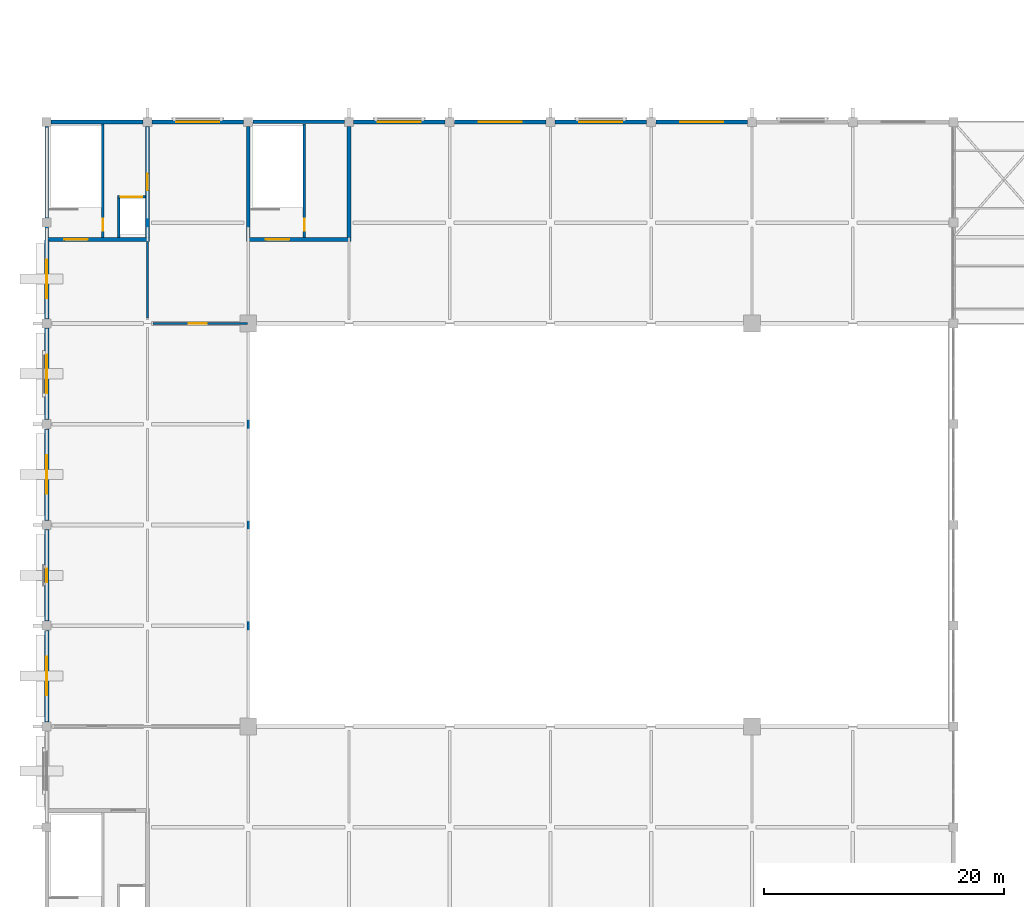
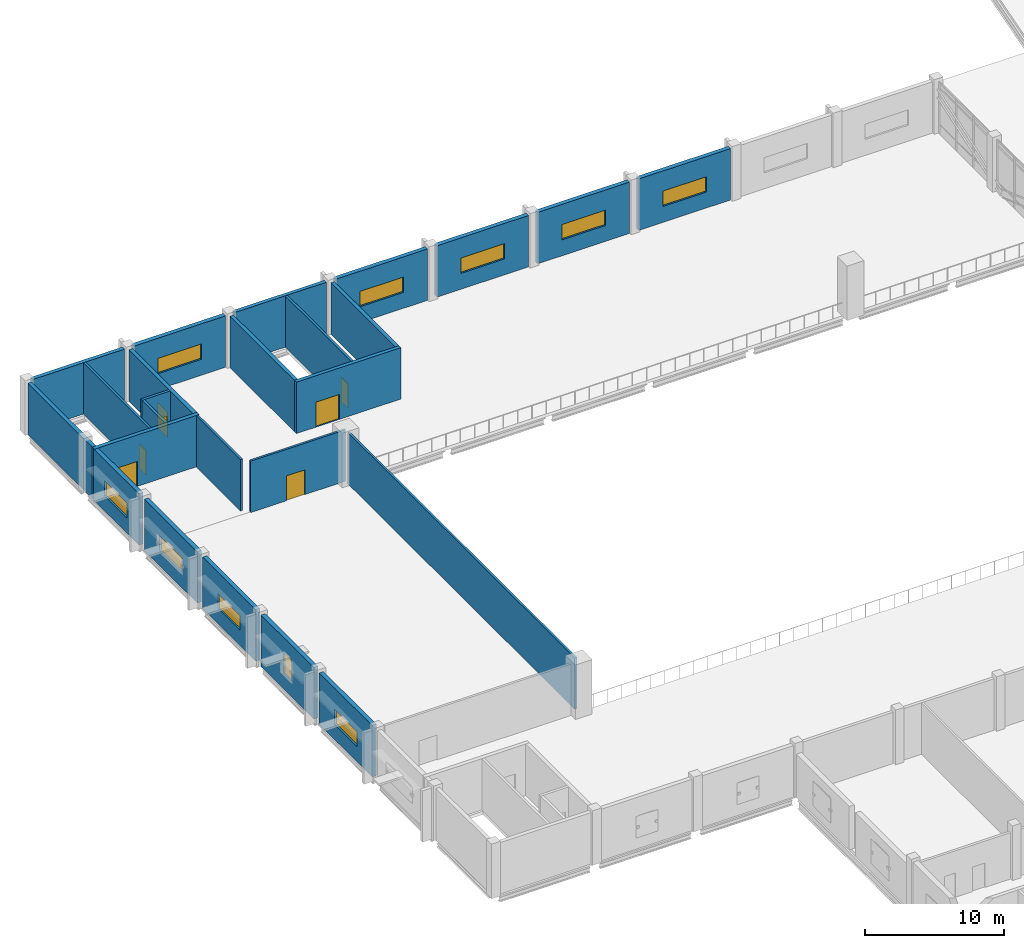
# One storey, part 88 of 110: 25 walls, 10 windows, 7 doors, 17 openings.
"""IFC4 building model written with IfcOpenShell, lengths in metres."""

from ifc_helpers import new_model, si_unit, direction, frame, frame_2d, origin, place, context, subcontext, project, spatial, rectangle, extrude, material, layer, layer_set, type_object, element, fill, save


model = new_model("IFC4")

# Units and contexts
model_context = context("Model", 3, precision=1e-05, world=origin(), true_north=direction((0.0, 1.0)))
body_context = subcontext(model_context, "Body", "Model", "MODEL_VIEW")
ifc_project = project(units=[si_unit("LENGTHUNIT", "METRE"), si_unit("AREAUNIT", "SQUARE_METRE"), si_unit("VOLUMEUNIT", "CUBIC_METRE"), si_unit("PLANEANGLEUNIT", "RADIAN"), si_unit("MASSUNIT", "GRAM", prefix="KILO")], contexts=[model_context])

# Site, building, storey
site_placement = place(None, origin())
site = spatial("IfcSite", under=ifc_project, at=site_placement, CompositionType="ELEMENT")
building_placement = place(site_placement, origin())
building = spatial("IfcBuilding", under=site, at=building_placement, Name="Qawsi Khor Wholesale Market", CompositionType="ELEMENT")
storey_placement = place(building_placement, frame((0.0, 0.0, 11.39990234375)))
storey = spatial("IfcBuildingStorey", under=building, at=storey_placement, Name="L02", CompositionType="ELEMENT", Elevation=11.39990234375)

# Wall, opening, door
ifc_material_1 = material(Name="Concrete C40/50", Category="concrete")
ifc_layer_1 = layer(ifc_material_1, 0.300048828125, Name="Concrete C40/50")
ifc_layer_set_1 = layer_set([ifc_layer_1], Name="Concrete C40/50")
wall_type_1 = type_object("IfcWallType", Name="Core Shear Wall RC 300 C40/50", PredefinedType="SHEAR", material=ifc_layer_set_1)
wall_1_placement = place(storey_placement, frame((25.35009765625, 99.39990234375, 0.0), z_axis=(0.0, 0.0, 1.0), x_axis=(-1.0, 0.0, 0.0)))
wall_1 = element("IfcWall", 1, at=wall_1_placement, inside=storey, type_object=wall_type_1, Name="Core C09 south shear wall L02", PredefinedType="SHEAR", context=body_context, shape_type="SweptSolid", body=[
    extrude(rectangle(XDim=8.7001953125, YDim=0.300048828125, at=frame_2d((4.35009765625, 0.0))), origin(), (0.0, 0.0, 1.0), 4.52001953125),
])
opening_1_placement = place(wall_1_placement, frame((5.1201171875, 0.0, 0.0)))
opening_1 = element("IfcOpeningElement", 2, at=opening_1_placement, cuts=wall_1, Name="Opening ID-01", PredefinedType="OPENING", context=body_context, shape_type="SweptSolid", body=[
    extrude(rectangle(XDim=1.9599609375, YDim=2.199951171875, at=frame_2d((0.97998046875, 1.10009765625))), frame((0.0, 0.159912109375, 0.0), z_axis=(0.0, -1.0, 0.0), x_axis=(1.0, 0.0, 0.0)), (0.0, 0.0, 1.0), 0.320068359375),
])
ifc_material_2 = material(Name="Steel Fire Door", Category="steel")
door_type_1 = type_object("IfcDoorType", Name="Stair & Core Fire Door 1960x2200 FD90S", OperationType="NOTDEFINED", PredefinedType="DOOR", material=ifc_material_2)
door_1_placement = place(opening_1_placement, origin())
door_1 = element("IfcDoor", 3, at=door_1_placement, inside=storey, type_object=door_type_1, Name="Core C09 fire door L02", OperationType="DOUBLE_DOOR_SINGLE_SWING", OverallHeight=2.199951171875, OverallWidth=1.9599609375, PredefinedType="DOOR", context=body_context, shape_type="SweptSolid", body=[
    extrude(rectangle(XDim=1.9599609375, YDim=2.199951171875, at=frame_2d((0.97998046875, 1.10009765625))), frame((0.0, 0.02490234375, 0.0), z_axis=(0.0, -1.0, 0.0), x_axis=(1.0, 0.0, 0.0)), (0.0, 0.0, 1.0), 0.050048828125),
])
fill(opening_1, door_1)

# Walls
wall_2_placement = place(storey_placement, frame((16.800048828125, 99.550048828125, 0.0), z_axis=(0.0, 0.0, 1.0), x_axis=(0.0, 1.0, 0.0)))
element("IfcWall", 4, at=wall_2_placement, inside=storey, type_object=wall_type_1, Name="Core C09 west shear wall L02", PredefinedType="SHEAR", context=body_context, shape_type="SweptSolid", body=[
    extrude(rectangle(XDim=9.27001953125, YDim=0.300048828125, at=frame_2d((4.635009765625, 0.0))), origin(), (0.0, 0.0, 1.0), 4.52001953125),
])
wall_3_placement = place(storey_placement, frame((17.179931640625, 109.199951171875, 0.0), z_axis=(0.0, 0.0, 1.0), x_axis=(1.0, 0.0, 0.0)))
element("IfcWall", 5, at=wall_3_placement, inside=storey, type_object=wall_type_1, Name="Core C09 north shear wall L02", PredefinedType="SHEAR", context=body_context, shape_type="SweptSolid", body=[
    extrude(rectangle(XDim=7.64013671875, YDim=0.300048828125, at=frame_2d((3.820068359375, 0.0))), origin(), (0.0, 0.0, 1.0), 4.52001953125),
])
wall_4_placement = place(storey_placement, frame((25.199951171875, 108.820068359375, 0.0), z_axis=(0.0, 0.0, 1.0), x_axis=(0.0, -1.0, 0.0)))
element("IfcWall", 6, at=wall_4_placement, inside=storey, type_object=wall_type_1, Name="Core C09 east shear wall L02", PredefinedType="SHEAR", context=body_context, shape_type="SweptSolid", body=[
    extrude(rectangle(XDim=9.27001953125, YDim=0.300048828125, at=frame_2d((4.635009765625, 0.0))), origin(), (0.0, 0.0, 1.0), 4.52001953125),
])

# Wall, opening, door
ifc_layer_2 = layer(ifc_material_1, 0.320068359375, Name="Concrete C40/50")
ifc_layer_set_2 = layer_set([ifc_layer_2], Name="Concrete C40/50")
wall_type_2 = type_object("IfcWallType", Name="Hall Lateral Shear Wall RC 320 C40/50", PredefinedType="SHEAR", material=ifc_layer_set_2)
wall_5_placement = place(storey_placement, frame((8.56005859375, 99.39990234375, 0.0), z_axis=(0.0, 0.0, 1.0), x_axis=(-1.0, 0.0, 0.0)))
wall_5 = element("IfcWall", 7, at=wall_5_placement, inside=storey, type_object=wall_type_2, Name="Core C08 south shear wall L02", PredefinedType="SHEAR", context=body_context, shape_type="SweptSolid", body=[
    extrude(rectangle(XDim=8.719970703125, YDim=0.320068359375, at=frame_2d((4.35986328125, 0.0))), origin(), (0.0, 0.0, 1.0), 4.52001953125),
])
opening_2_placement = place(wall_5_placement, frame((5.1298828125, 0.0, 0.0)))
opening_2 = element("IfcOpeningElement", 8, at=opening_2_placement, cuts=wall_5, Name="Opening ID-01", PredefinedType="OPENING", context=body_context, shape_type="SweptSolid", body=[
    extrude(rectangle(XDim=1.9599609375, YDim=2.199951171875, at=frame_2d((0.97998046875, 1.10009765625))), frame((0.0, 0.169921875, 0.0), z_axis=(0.0, -1.0, 0.0), x_axis=(1.0, 0.0, 0.0)), (0.0, 0.0, 1.0), 0.340087890625),
])
door_2_placement = place(opening_2_placement, origin())
door_2 = element("IfcDoor", 9, at=door_2_placement, inside=storey, type_object=door_type_1, Name="Core C08 fire door L02", OperationType="DOUBLE_DOOR_SINGLE_SWING", OverallHeight=2.199951171875, OverallWidth=1.9599609375, PredefinedType="DOOR", context=body_context, shape_type="SweptSolid", body=[
    extrude(rectangle(XDim=1.9599609375, YDim=2.199951171875, at=frame_2d((0.97998046875, 1.10009765625))), frame((0.0, 0.02490234375, 0.0), z_axis=(0.0, -1.0, 0.0), x_axis=(1.0, 0.0, 0.0)), (0.0, 0.0, 1.0), 0.050048828125),
])
fill(opening_2, door_2)

# Walls
wall_6_placement = place(storey_placement, frame((0.0, 99.56005859375, 0.0), z_axis=(0.0, 0.0, 1.0), x_axis=(0.0, 1.0, 0.0)))
element("IfcWall", 10, at=wall_6_placement, inside=storey, type_object=wall_type_2, Name="Core C08 west shear wall L02", PredefinedType="SHEAR", context=body_context, shape_type="SweptSolid", body=[
    extrude(rectangle(XDim=9.260009765625, YDim=0.320068359375, at=frame_2d((4.6298828125, 0.0))), origin(), (0.0, 0.0, 1.0), 4.52001953125),
])
wall_7_placement = place(storey_placement, frame((0.3798828125, 109.199951171875, 0.0), z_axis=(0.0, 0.0, 1.0), x_axis=(1.0, 0.0, 0.0)))
element("IfcWall", 11, at=wall_7_placement, inside=storey, type_object=wall_type_2, Name="Core C08 north shear wall L02", PredefinedType="SHEAR", context=body_context, shape_type="SweptSolid", body=[
    extrude(rectangle(XDim=7.64013671875, YDim=0.320068359375, at=frame_2d((3.820068359375, 0.0))), origin(), (0.0, 0.0, 1.0), 4.52001953125),
])

# Wall, opening, door
wall_8_placement = place(storey_placement, frame((8.39990234375, 108.820068359375, 0.0), z_axis=(0.0, 0.0, 1.0), x_axis=(0.0, -1.0, 0.0)))
wall_8 = element("IfcWall", 12, at=wall_8_placement, inside=storey, type_object=wall_type_2, Name="Core C08 east shear wall L02", PredefinedType="SHEAR", context=body_context, shape_type="SweptSolid", body=[
    extrude(rectangle(XDim=9.260009765625, YDim=0.320068359375, at=frame_2d((4.6298828125, 0.0))), origin(), (0.0, 0.0, 1.0), 4.52001953125),
])
opening_3_placement = place(wall_8_placement, frame((3.929931640625, 0.0, 0.0)))
opening_3 = element("IfcOpeningElement", 13, at=opening_3_placement, cuts=wall_8, Name="Opening ID-02", PredefinedType="OPENING", context=body_context, shape_type="SweptSolid", body=[
    extrude(rectangle(XDim=1.39990234375, YDim=2.199951171875, at=frame_2d((0.699951171875, 1.10009765625))), frame((0.0, 0.169921875, 0.0), z_axis=(0.0, -1.0, 0.0), x_axis=(1.0, 0.0, 0.0)), (0.0, 0.0, 1.0), 0.340087890625),
])
door_type_2 = type_object("IfcDoorType", Name="Firefighting Lobby Door 1400x2200 FD60S", OperationType="NOTDEFINED", PredefinedType="DOOR", material=ifc_material_2)
door_3_placement = place(opening_3_placement, origin())
door_3 = element("IfcDoor", 14, at=door_3_placement, inside=storey, type_object=door_type_2, Name="Core C08 lift lobby door L02", OperationType="SINGLE_SWING_LEFT", OverallHeight=2.199951171875, OverallWidth=1.39990234375, PredefinedType="DOOR", context=body_context, shape_type="SweptSolid", body=[
    extrude(rectangle(XDim=1.39990234375, YDim=2.199951171875, at=frame_2d((0.699951171875, 1.10009765625))), frame((0.0, 0.02490234375, 0.0), z_axis=(0.0, -1.0, 0.0), x_axis=(1.0, 0.0, 0.0)), (0.0, 0.0, 1.0), 0.050048828125),
])
fill(opening_3, door_3)

ifc_material_3 = material(Name="Acoustic Gypsum & Mineral Wool", Category="gypsum")
ifc_layer_3 = layer(ifc_material_3, 0.179931640625, Name="Acoustic Gypsum & Mineral Wool")
ifc_layer_set_3 = layer_set([ifc_layer_3], Name="Acoustic Gypsum & Mineral Wool")
wall_type_3 = type_object("IfcWallType", Name="Laboratory Acoustic Partition 180", PredefinedType="PARTITIONING", material=ifc_layer_set_3)
wall_9_placement = place(storey_placement, frame((8.85009765625, 92.39990234375, 0.0), z_axis=(0.0, 0.0, 1.0), x_axis=(1.0, 0.0, 0.0)))
wall_9 = element("IfcWall", 15, at=wall_9_placement, inside=storey, type_object=wall_type_3, Name="PW-L02-128", PredefinedType="PARTITIONING", context=body_context, shape_type="SweptSolid", body=[
    extrude(rectangle(XDim=7.89990234375, YDim=0.179931640625, at=frame_2d((3.949951171875, 0.0))), origin(), (0.0, 0.0, 1.0), 4.52001953125),
])
opening_4_placement = place(wall_9_placement, frame((2.989990234375, 0.0, 0.0)))
opening_4 = element("IfcOpeningElement", 16, at=opening_4_placement, cuts=wall_9, Name="Opening ID-08", PredefinedType="OPENING", context=body_context, shape_type="SweptSolid", body=[
    extrude(rectangle(XDim=1.52001953125, YDim=2.179931640625, at=frame_2d((0.760009765625, 1.08984375))), frame((0.0, 0.099853515625, 0.0), z_axis=(0.0, -1.0, 0.0), x_axis=(1.0, 0.0, 0.0)), (0.0, 0.0, 1.0), 0.199951171875),
])
ifc_material_4 = material(Name="Powder-Coated Steel", Category="steel")
door_type_3 = type_object("IfcDoorType", Name="Laboratory Double Leaf Door 1520x2180 FD60S", OperationType="NOTDEFINED", PredefinedType="DOOR", material=ifc_material_4)
door_4_placement = place(opening_4_placement, origin())
door_4 = element("IfcDoor", 17, at=door_4_placement, inside=storey, type_object=door_type_3, Name="Laboratory Double Leaf Door 1520x2180 FD60S L02-135", OperationType="DOUBLE_DOOR_SINGLE_SWING", OverallHeight=2.179931640625, OverallWidth=1.52001953125, PredefinedType="DOOR", context=body_context, shape_type="SweptSolid", body=[
    extrude(rectangle(XDim=1.52001953125, YDim=2.179931640625, at=frame_2d((0.760009765625, 1.08984375))), frame((0.0, 0.02490234375, 0.0), z_axis=(0.0, -1.0, 0.0), x_axis=(1.0, 0.0, 0.0)), (0.0, 0.0, 1.0), 0.050048828125),
])
fill(opening_4, door_4)

# Walls
wall_10_placement = place(storey_placement, frame((8.39990234375, 92.85009765625, 0.0), z_axis=(0.0, 0.0, 1.0), x_axis=(0.0, 1.0, 0.0)))
element("IfcWall", 18, at=wall_10_placement, inside=storey, type_object=wall_type_3, Name="PW-L02-129", PredefinedType="PARTITIONING", context=body_context, shape_type="SweptSolid", body=[
    extrude(rectangle(XDim=6.369873046875, YDim=0.179931640625, at=frame_2d((3.18505859375, 0.0))), origin(), (0.0, 0.0, 1.0), 4.52001953125),
])
wall_11_placement = place(storey_placement, frame((16.800048828125, 59.25, 0.0), z_axis=(0.0, 0.0, 1.0), x_axis=(0.0, 1.0, 0.0)))
element("IfcWall", 19, at=wall_11_placement, inside=storey, type_object=wall_type_3, Name="PW-L02-130", PredefinedType="PARTITIONING", context=body_context, shape_type="SweptSolid", body=[
    extrude(rectangle(XDim=32.699951171875, YDim=0.179931640625, at=frame_2d((16.35009765625, 0.0))), origin(), (0.0, 0.0, 1.0), 4.52001953125),
])
ifc_layer_4 = layer(ifc_material_1, 0.219970703125, Name="Concrete C40/50")
ifc_layer_set_4 = layer_set([ifc_layer_4], Name="Concrete C40/50")
wall_type_4 = type_object("IfcWallType", Name="Lift & Stair Shaft Wall RC 220", PredefinedType="SOLIDWALL", material=ifc_layer_set_4)
wall_12_placement = place(storey_placement, frame((6.010009765625, 99.56005859375, 0.0), z_axis=(0.0, 0.0, 1.0), x_axis=(0.0, 1.0, 0.0)))
element("IfcWall", 20, at=wall_12_placement, inside=storey, type_object=wall_type_4, Name="Lift GL-02 shaft wall W L02", PredefinedType="SOLIDWALL", context=body_context, shape_type="SweptSolid", body=[
    extrude(rectangle(XDim=3.389892578125, YDim=0.219970703125, at=frame_2d((1.69482421875, 0.0))), origin(), (0.0, 0.0, 1.0), 4.52001953125),
])

# Wall, opening, door
wall_13_placement = place(storey_placement, frame((5.89990234375, 102.949951171875, 0.0), z_axis=(0.0, 0.0, 1.0), x_axis=(1.0, 0.0, 0.0)))
wall_13 = element("IfcWall", 21, at=wall_13_placement, inside=storey, type_object=wall_type_4, Name="Lift GL-02 shaft wall N L02", PredefinedType="SOLIDWALL", context=body_context, shape_type="SweptSolid", body=[
    extrude(rectangle(XDim=2.340087890625, YDim=0.219970703125, at=frame_2d((1.169921875, 0.0))), origin(), (0.0, 0.0, 1.0), 4.52001953125),
])
opening_5_placement = place(wall_13_placement, frame((0.260009765625, 0.0, 0.0)))
opening_5 = element("IfcOpeningElement", 22, at=opening_5_placement, cuts=wall_13, Name="Opening LD-G180", PredefinedType="OPENING", context=body_context, shape_type="SweptSolid", body=[
    extrude(rectangle(XDim=1.820068359375, YDim=2.39990234375, at=frame_2d((0.91015625, 1.199951171875))), frame((0.0, 0.119873046875, 0.0), z_axis=(0.0, -1.0, 0.0), x_axis=(1.0, 0.0, 0.0)), (0.0, 0.0, 1.0), 0.239990234375),
])
ifc_material_5 = material(Name="Heavy-Duty Stainless Steel", Category="steel")
door_type_4 = type_object("IfcDoorType", Name="Goods Lift Landing Sliding Door 1820x2400 FD90S", OperationType="NOTDEFINED", PredefinedType="DOOR", material=ifc_material_5)
door_5_placement = place(opening_5_placement, origin())
door_5 = element("IfcDoor", 23, at=door_5_placement, inside=storey, type_object=door_type_4, Name="Lift GL-02 landing door L02", OperationType="SLIDING_TO_LEFT", OverallHeight=2.39990234375, OverallWidth=1.820068359375, PredefinedType="DOOR", context=body_context, shape_type="SweptSolid", body=[
    extrude(rectangle(XDim=1.820068359375, YDim=2.39990234375, at=frame_2d((0.91015625, 1.199951171875))), frame((0.0, 0.02490234375, 0.0), z_axis=(0.0, -1.0, 0.0), x_axis=(1.0, 0.0, 0.0)), (0.0, 0.0, 1.0), 0.050048828125),
])
fill(opening_5, door_5)

ifc_layer_5 = layer(ifc_material_1, 0.18994140625, Name="Concrete C40/50")
ifc_layer_set_5 = layer_set([ifc_layer_5], Name="Concrete C40/50")
wall_type_5 = type_object("IfcWallType", Name="Stairwell Enclosure Wall RC 190", PredefinedType="SOLIDWALL", material=ifc_layer_set_5)
wall_14_placement = place(storey_placement, frame((4.679931640625, 99.56005859375, 0.0), z_axis=(0.0, 0.0, 1.0), x_axis=(0.0, 1.0, 0.0)))
wall_14 = element("IfcWall", 24, at=wall_14_placement, inside=storey, type_object=wall_type_5, Name="Core C08 stairwell enclosure wall L02", PredefinedType="SOLIDWALL", context=body_context, shape_type="SweptSolid", body=[
    extrude(rectangle(XDim=9.47998046875, YDim=0.18994140625, at=frame_2d((4.739990234375, 0.0))), origin(), (0.0, 0.0, 1.0), 4.52001953125),
])
opening_6_placement = place(wall_14_placement, frame((0.580078125, 0.0, 0.0)))
opening_6 = element("IfcOpeningElement", 25, at=opening_6_placement, cuts=wall_14, Name="Opening ID-17", PredefinedType="OPENING", context=body_context, shape_type="SweptSolid", body=[
    extrude(rectangle(XDim=0.97998046875, YDim=2.14990234375, at=frame_2d((0.489990234375, 1.074951171875))), frame((0.0, 0.10498046875, 0.0), z_axis=(0.0, -1.0, 0.0), x_axis=(1.0, 0.0, 0.0)), (0.0, 0.0, 1.0), 0.2099609375),
])
door_type_5 = type_object("IfcDoorType", Name="Core Stair Lobby Fire Door 980x2150 FD120S", OperationType="NOTDEFINED", PredefinedType="DOOR", material=ifc_material_2)
door_6_placement = place(opening_6_placement, origin())
door_6 = element("IfcDoor", 26, at=door_6_placement, inside=storey, type_object=door_type_5, Name="Core C08 stair enclosure fire door L02", OperationType="SINGLE_SWING_LEFT", OverallHeight=2.14990234375, OverallWidth=0.97998046875, PredefinedType="DOOR", context=body_context, shape_type="SweptSolid", body=[
    extrude(rectangle(XDim=0.97998046875, YDim=2.14990234375, at=frame_2d((0.489990234375, 1.074951171875))), frame((0.0, 0.02490234375, 0.0), z_axis=(0.0, -1.0, 0.0), x_axis=(1.0, 0.0, 0.0)), (0.0, 0.0, 1.0), 0.050048828125),
])
fill(opening_6, door_6)

wall_15_placement = place(storey_placement, frame((21.47998046875, 99.56005859375, 0.0), z_axis=(0.0, 0.0, 1.0), x_axis=(0.0, 1.0, 0.0)))
wall_15 = element("IfcWall", 27, at=wall_15_placement, inside=storey, type_object=wall_type_5, Name="Core C09 stairwell enclosure wall L02", PredefinedType="SOLIDWALL", context=body_context, shape_type="SweptSolid", body=[
    extrude(rectangle(XDim=9.47998046875, YDim=0.18994140625, at=frame_2d((4.739990234375, 0.0))), origin(), (0.0, 0.0, 1.0), 4.52001953125),
])
opening_7_placement = place(wall_15_placement, frame((0.580078125, 0.0, 0.0)))
opening_7 = element("IfcOpeningElement", 28, at=opening_7_placement, cuts=wall_15, Name="Opening ID-17", PredefinedType="OPENING", context=body_context, shape_type="SweptSolid", body=[
    extrude(rectangle(XDim=0.97998046875, YDim=2.14990234375, at=frame_2d((0.489990234375, 1.074951171875))), frame((0.0, 0.10498046875, 0.0), z_axis=(0.0, -1.0, 0.0), x_axis=(1.0, 0.0, 0.0)), (0.0, 0.0, 1.0), 0.2099609375),
])
door_7_placement = place(opening_7_placement, origin())
door_7 = element("IfcDoor", 29, at=door_7_placement, inside=storey, type_object=door_type_5, Name="Core C09 stair enclosure fire door L02", OperationType="SINGLE_SWING_LEFT", OverallHeight=2.14990234375, OverallWidth=0.97998046875, PredefinedType="DOOR", context=body_context, shape_type="SweptSolid", body=[
    extrude(rectangle(XDim=0.97998046875, YDim=2.14990234375, at=frame_2d((0.489990234375, 1.074951171875))), frame((0.0, 0.02490234375, 0.0), z_axis=(0.0, -1.0, 0.0), x_axis=(1.0, 0.0, 0.0)), (0.0, 0.0, 1.0), 0.050048828125),
])
fill(opening_7, door_7)

# Wall, opening, window
ifc_layer_6 = layer(ifc_material_1, 0.35009765625, Name="Concrete C40/50")
ifc_layer_set_6 = layer_set([ifc_layer_6], Name="Concrete C40/50")
wall_type_6 = type_object("IfcWallType", Name="Trading Hall Precast Concrete Wall 350", PredefinedType="SOLIDWALL", material=ifc_layer_set_6)
wall_16_placement = place(storey_placement, frame((0.0, 59.179931640625, 0.0), z_axis=(0.0, 0.0, 1.0), x_axis=(0.0, 1.0, 0.0)))
wall_16 = element("IfcWall", 30, at=wall_16_placement, inside=storey, type_object=wall_type_6, Name="EW-L02-WHW-07", PredefinedType="SOLIDWALL", context=body_context, shape_type="SweptSolid", body=[
    extrude(rectangle(XDim=7.64013671875, YDim=0.35009765625, at=frame_2d((3.820068359375, 0.0))), origin(), (0.0, 0.0, 1.0), 4.52001953125),
])
opening_8_placement = place(wall_16_placement, frame((2.219970703125, 0.0, 1.35009765625)))
opening_8 = element("IfcOpeningElement", 31, at=opening_8_placement, cuts=wall_16, Name="Opening W-13", PredefinedType="OPENING", context=body_context, shape_type="SweptSolid", body=[
    extrude(rectangle(XDim=3.199951171875, YDim=1.300048828125, at=frame_2d((1.60009765625, 0.64990234375))), frame((0.0, 0.18505859375, 0.0), z_axis=(0.0, -1.0, 0.0), x_axis=(1.0, 0.0, 0.0)), (0.0, 0.0, 1.0), 0.3701171875),
])
ifc_material_6 = material(Name="Thermally Broken Aluminium & Low-E Glass", Category="aluminium")
window_type_1 = type_object("IfcWindowType", Name="Win W-13 Hall East/West Clerestory 3200x1300", PartitioningType="SINGLE_PANEL", PredefinedType="WINDOW", material=ifc_material_6)
window_1_placement = place(opening_8_placement, origin())
window_1 = element("IfcWindow", 32, at=window_1_placement, inside=storey, type_object=window_type_1, Name="Win W-13 Hall East/West Clerestory 3200x1300 165", OverallHeight=1.300048828125, OverallWidth=3.199951171875, PartitioningType="SINGLE_PANEL", PredefinedType="WINDOW", context=body_context, shape_type="SweptSolid", body=[
    extrude(rectangle(XDim=3.199951171875, YDim=1.300048828125, at=frame_2d((1.60009765625, 0.64990234375))), frame((0.0, 0.030029296875, 0.0), z_axis=(0.0, -1.0, 0.0), x_axis=(1.0, 0.0, 0.0)), (0.0, 0.0, 1.0), 0.06005859375),
])
fill(opening_8, window_1)

wall_17_placement = place(storey_placement, frame((0.0, 67.580078125, 0.0), z_axis=(0.0, 0.0, 1.0), x_axis=(0.0, 1.0, 0.0)))
wall_17 = element("IfcWall", 33, at=wall_17_placement, inside=storey, type_object=wall_type_6, Name="EW-L02-WHW-08", PredefinedType="SOLIDWALL", context=body_context, shape_type="SweptSolid", body=[
    extrude(rectangle(XDim=7.639892578125, YDim=0.35009765625, at=frame_2d((3.81982421875, 0.0))), origin(), (0.0, 0.0, 1.0), 4.52001953125),
])
opening_9_placement = place(wall_17_placement, frame((3.260009765625, 0.0, 1.35009765625)))
opening_9 = element("IfcOpeningElement", 34, at=opening_9_placement, cuts=wall_17, Name="Opening W-21", PredefinedType="OPENING", context=body_context, shape_type="SweptSolid", body=[
    extrude(rectangle(XDim=1.1201171875, YDim=1.85009765625, at=frame_2d((0.56005859375, 0.925048828125))), frame((0.0, 0.18505859375, 0.0), z_axis=(0.0, -1.0, 0.0), x_axis=(1.0, 0.0, 0.0)), (0.0, 0.0, 1.0), 0.3701171875),
])
window_type_2 = type_object("IfcWindowType", Name="Win W-21 Produce Mezzanine Slot 1120x1850", PartitioningType="SINGLE_PANEL", PredefinedType="WINDOW", material=ifc_material_6)
window_2_placement = place(opening_9_placement, origin())
window_2 = element("IfcWindow", 35, at=window_2_placement, inside=storey, type_object=window_type_2, Name="Win W-21 Produce Mezzanine Slot 1120x1850 166", OverallHeight=1.85009765625, OverallWidth=1.1201171875, PartitioningType="SINGLE_PANEL", PredefinedType="WINDOW", context=body_context, shape_type="SweptSolid", body=[
    extrude(rectangle(XDim=1.1201171875, YDim=1.85009765625, at=frame_2d((0.56005859375, 0.925048828125))), frame((0.0, 0.030029296875, 0.0), z_axis=(0.0, -1.0, 0.0), x_axis=(1.0, 0.0, 0.0)), (0.0, 0.0, 1.0), 0.06005859375),
])
fill(opening_9, window_2)

wall_18_placement = place(storey_placement, frame((0.0, 75.97998046875, 0.0), z_axis=(0.0, 0.0, 1.0), x_axis=(0.0, 1.0, 0.0)))
wall_18 = element("IfcWall", 36, at=wall_18_placement, inside=storey, type_object=wall_type_6, Name="EW-L02-WHW-09", PredefinedType="SOLIDWALL", context=body_context, shape_type="SweptSolid", body=[
    extrude(rectangle(XDim=7.64013671875, YDim=0.35009765625, at=frame_2d((3.820068359375, 0.0))), origin(), (0.0, 0.0, 1.0), 4.52001953125),
])
opening_10_placement = place(wall_18_placement, frame((2.219970703125, 0.0, 1.35009765625)))
opening_10 = element("IfcOpeningElement", 37, at=opening_10_placement, cuts=wall_18, Name="Opening W-13", PredefinedType="OPENING", context=body_context, shape_type="SweptSolid", body=[
    extrude(rectangle(XDim=3.199951171875, YDim=1.300048828125, at=frame_2d((1.60009765625, 0.64990234375))), frame((0.0, 0.18505859375, 0.0), z_axis=(0.0, -1.0, 0.0), x_axis=(1.0, 0.0, 0.0)), (0.0, 0.0, 1.0), 0.3701171875),
])
window_3_placement = place(opening_10_placement, origin())
window_3 = element("IfcWindow", 38, at=window_3_placement, inside=storey, type_object=window_type_1, Name="Win W-13 Hall East/West Clerestory 3200x1300 167", OverallHeight=1.300048828125, OverallWidth=3.199951171875, PartitioningType="SINGLE_PANEL", PredefinedType="WINDOW", context=body_context, shape_type="SweptSolid", body=[
    extrude(rectangle(XDim=3.199951171875, YDim=1.300048828125, at=frame_2d((1.60009765625, 0.64990234375))), frame((0.0, 0.030029296875, 0.0), z_axis=(0.0, -1.0, 0.0), x_axis=(1.0, 0.0, 0.0)), (0.0, 0.0, 1.0), 0.06005859375),
])
fill(opening_10, window_3)

wall_19_placement = place(storey_placement, frame((0.0, 84.3798828125, 0.0), z_axis=(0.0, 0.0, 1.0), x_axis=(0.0, 1.0, 0.0)))
wall_19 = element("IfcWall", 39, at=wall_19_placement, inside=storey, type_object=wall_type_6, Name="EW-L02-WHW-10", PredefinedType="SOLIDWALL", context=body_context, shape_type="SweptSolid", body=[
    extrude(rectangle(XDim=7.64013671875, YDim=0.35009765625, at=frame_2d((3.820068359375, 0.0))), origin(), (0.0, 0.0, 1.0), 4.52001953125),
])
opening_11_placement = place(wall_19_placement, frame((2.219970703125, 0.0, 1.35009765625)))
opening_11 = element("IfcOpeningElement", 40, at=opening_11_placement, cuts=wall_19, Name="Opening W-13", PredefinedType="OPENING", context=body_context, shape_type="SweptSolid", body=[
    extrude(rectangle(XDim=3.199951171875, YDim=1.300048828125, at=frame_2d((1.60009765625, 0.64990234375))), frame((0.0, 0.18505859375, 0.0), z_axis=(0.0, -1.0, 0.0), x_axis=(1.0, 0.0, 0.0)), (0.0, 0.0, 1.0), 0.3701171875),
])
window_4_placement = place(opening_11_placement, origin())
window_4 = element("IfcWindow", 41, at=window_4_placement, inside=storey, type_object=window_type_1, Name="Win W-13 Hall East/West Clerestory 3200x1300 168", OverallHeight=1.300048828125, OverallWidth=3.199951171875, PartitioningType="SINGLE_PANEL", PredefinedType="WINDOW", context=body_context, shape_type="SweptSolid", body=[
    extrude(rectangle(XDim=3.199951171875, YDim=1.300048828125, at=frame_2d((1.60009765625, 0.64990234375))), frame((0.0, 0.030029296875, 0.0), z_axis=(0.0, -1.0, 0.0), x_axis=(1.0, 0.0, 0.0)), (0.0, 0.0, 1.0), 0.06005859375),
])
fill(opening_11, window_4)

wall_20_placement = place(storey_placement, frame((0.0, 92.780029296875, 0.0), z_axis=(0.0, 0.0, 1.0), x_axis=(0.0, 1.0, 0.0)))
wall_20 = element("IfcWall", 42, at=wall_20_placement, inside=storey, type_object=wall_type_6, Name="EW-L02-WHW-11", PredefinedType="SOLIDWALL", context=body_context, shape_type="SweptSolid", body=[
    extrude(rectangle(XDim=6.570068359375, YDim=0.35009765625, at=frame_2d((3.28515625, 0.0))), origin(), (0.0, 0.0, 1.0), 4.52001953125),
])
opening_12_placement = place(wall_20_placement, frame((1.735107421875, 0.0, 1.35009765625)))
opening_12 = element("IfcOpeningElement", 43, at=opening_12_placement, cuts=wall_20, Name="Opening W-13", PredefinedType="OPENING", context=body_context, shape_type="SweptSolid", body=[
    extrude(rectangle(XDim=3.199951171875, YDim=1.300048828125, at=frame_2d((1.60009765625, 0.64990234375))), frame((0.0, 0.18505859375, 0.0), z_axis=(0.0, -1.0, 0.0), x_axis=(1.0, 0.0, 0.0)), (0.0, 0.0, 1.0), 0.3701171875),
])
window_5_placement = place(opening_12_placement, origin())
window_5 = element("IfcWindow", 44, at=window_5_placement, inside=storey, type_object=window_type_1, Name="Win W-13 Hall East/West Clerestory 3200x1300 169", OverallHeight=1.300048828125, OverallWidth=3.199951171875, PartitioningType="SINGLE_PANEL", PredefinedType="WINDOW", context=body_context, shape_type="SweptSolid", body=[
    extrude(rectangle(XDim=3.199951171875, YDim=1.300048828125, at=frame_2d((1.60009765625, 0.64990234375))), frame((0.0, 0.030029296875, 0.0), z_axis=(0.0, -1.0, 0.0), x_axis=(1.0, 0.0, 0.0)), (0.0, 0.0, 1.0), 0.06005859375),
])
fill(opening_12, window_5)

wall_21_placement = place(storey_placement, frame((8.780029296875, 109.199951171875, 0.0), z_axis=(0.0, 0.0, 1.0), x_axis=(1.0, 0.0, 0.0)))
wall_21 = element("IfcWall", 45, at=wall_21_placement, inside=storey, type_object=wall_type_6, Name="EW-L02-WHN-01", PredefinedType="SOLIDWALL", context=body_context, shape_type="SweptSolid", body=[
    extrude(rectangle(XDim=7.639892578125, YDim=0.35009765625, at=frame_2d((3.81982421875, 0.0))), origin(), (0.0, 0.0, 1.0), 4.52001953125),
])
opening_13_placement = place(wall_21_placement, frame((2.02001953125, 0.0, 1.39990234375)))
opening_13 = element("IfcOpeningElement", 46, at=opening_13_placement, cuts=wall_21, Name="Opening W-12", PredefinedType="OPENING", context=body_context, shape_type="SweptSolid", body=[
    extrude(rectangle(XDim=3.60009765625, YDim=1.35009765625, at=frame_2d((1.800048828125, 0.675048828125))), frame((0.0, 0.18505859375, 0.0), z_axis=(0.0, -1.0, 0.0), x_axis=(1.0, 0.0, 0.0)), (0.0, 0.0, 1.0), 0.3701171875),
])
window_type_3 = type_object("IfcWindowType", Name="Win W-12 Hall North Clerestory 3600x1350", PartitioningType="SINGLE_PANEL", PredefinedType="WINDOW", material=ifc_material_6)
window_6_placement = place(opening_13_placement, origin())
window_6 = element("IfcWindow", 47, at=window_6_placement, inside=storey, type_object=window_type_3, Name="Win W-12 Hall North Clerestory 3600x1350 172", OverallHeight=1.35009765625, OverallWidth=3.60009765625, PartitioningType="SINGLE_PANEL", PredefinedType="WINDOW", context=body_context, shape_type="SweptSolid", body=[
    extrude(rectangle(XDim=3.60009765625, YDim=1.35009765625, at=frame_2d((1.800048828125, 0.675048828125))), frame((0.0, 0.030029296875, 0.0), z_axis=(0.0, -1.0, 0.0), x_axis=(1.0, 0.0, 0.0)), (0.0, 0.0, 1.0), 0.06005859375),
])
fill(opening_13, window_6)

wall_22_placement = place(storey_placement, frame((25.580078125, 109.199951171875, 0.0), z_axis=(0.0, 0.0, 1.0), x_axis=(1.0, 0.0, 0.0)))
wall_22 = element("IfcWall", 48, at=wall_22_placement, inside=storey, type_object=wall_type_6, Name="EW-L02-WHN-03", PredefinedType="SOLIDWALL", context=body_context, shape_type="SweptSolid", body=[
    extrude(rectangle(XDim=7.639892578125, YDim=0.35009765625, at=frame_2d((3.81982421875, 0.0))), origin(), (0.0, 0.0, 1.0), 4.52001953125),
])
opening_14_placement = place(wall_22_placement, frame((2.02001953125, 0.0, 1.39990234375)))
opening_14 = element("IfcOpeningElement", 49, at=opening_14_placement, cuts=wall_22, Name="Opening W-12", PredefinedType="OPENING", context=body_context, shape_type="SweptSolid", body=[
    extrude(rectangle(XDim=3.60009765625, YDim=1.35009765625, at=frame_2d((1.800048828125, 0.675048828125))), frame((0.0, 0.18505859375, 0.0), z_axis=(0.0, -1.0, 0.0), x_axis=(1.0, 0.0, 0.0)), (0.0, 0.0, 1.0), 0.3701171875),
])
window_7_placement = place(opening_14_placement, origin())
window_7 = element("IfcWindow", 50, at=window_7_placement, inside=storey, type_object=window_type_3, Name="Win W-12 Hall North Clerestory 3600x1350 173", OverallHeight=1.35009765625, OverallWidth=3.60009765625, PartitioningType="SINGLE_PANEL", PredefinedType="WINDOW", context=body_context, shape_type="SweptSolid", body=[
    extrude(rectangle(XDim=3.60009765625, YDim=1.35009765625, at=frame_2d((1.800048828125, 0.675048828125))), frame((0.0, 0.030029296875, 0.0), z_axis=(0.0, -1.0, 0.0), x_axis=(1.0, 0.0, 0.0)), (0.0, 0.0, 1.0), 0.06005859375),
])
fill(opening_14, window_7)

wall_23_placement = place(storey_placement, frame((33.97998046875, 109.199951171875, 0.0), z_axis=(0.0, 0.0, 1.0), x_axis=(1.0, 0.0, 0.0)))
wall_23 = element("IfcWall", 51, at=wall_23_placement, inside=storey, type_object=wall_type_6, Name="EW-L02-WHN-04", PredefinedType="SOLIDWALL", context=body_context, shape_type="SweptSolid", body=[
    extrude(rectangle(XDim=7.64013671875, YDim=0.35009765625, at=frame_2d((3.820068359375, 0.0))), origin(), (0.0, 0.0, 1.0), 4.52001953125),
])
opening_15_placement = place(wall_23_placement, frame((2.02001953125, 0.0, 1.39990234375)))
opening_15 = element("IfcOpeningElement", 52, at=opening_15_placement, cuts=wall_23, Name="Opening W-12", PredefinedType="OPENING", context=body_context, shape_type="SweptSolid", body=[
    extrude(rectangle(XDim=3.60009765625, YDim=1.35009765625, at=frame_2d((1.800048828125, 0.675048828125))), frame((0.0, 0.18505859375, 0.0), z_axis=(0.0, -1.0, 0.0), x_axis=(1.0, 0.0, 0.0)), (0.0, 0.0, 1.0), 0.3701171875),
])
window_8_placement = place(opening_15_placement, origin())
window_8 = element("IfcWindow", 53, at=window_8_placement, inside=storey, type_object=window_type_3, Name="Win W-12 Hall North Clerestory 3600x1350 174", OverallHeight=1.35009765625, OverallWidth=3.60009765625, PartitioningType="SINGLE_PANEL", PredefinedType="WINDOW", context=body_context, shape_type="SweptSolid", body=[
    extrude(rectangle(XDim=3.60009765625, YDim=1.35009765625, at=frame_2d((1.800048828125, 0.675048828125))), frame((0.0, 0.030029296875, 0.0), z_axis=(0.0, -1.0, 0.0), x_axis=(1.0, 0.0, 0.0)), (0.0, 0.0, 1.0), 0.06005859375),
])
fill(opening_15, window_8)

wall_24_placement = place(storey_placement, frame((42.3798828125, 109.199951171875, 0.0), z_axis=(0.0, 0.0, 1.0), x_axis=(1.0, 0.0, 0.0)))
wall_24 = element("IfcWall", 54, at=wall_24_placement, inside=storey, type_object=wall_type_6, Name="EW-L02-WHN-05", PredefinedType="SOLIDWALL", context=body_context, shape_type="SweptSolid", body=[
    extrude(rectangle(XDim=7.64013671875, YDim=0.35009765625, at=frame_2d((3.820068359375, 0.0))), origin(), (0.0, 0.0, 1.0), 4.52001953125),
])
opening_16_placement = place(wall_24_placement, frame((2.02001953125, 0.0, 1.39990234375)))
opening_16 = element("IfcOpeningElement", 55, at=opening_16_placement, cuts=wall_24, Name="Opening W-12", PredefinedType="OPENING", context=body_context, shape_type="SweptSolid", body=[
    extrude(rectangle(XDim=3.60009765625, YDim=1.35009765625, at=frame_2d((1.800048828125, 0.675048828125))), frame((0.0, 0.18505859375, 0.0), z_axis=(0.0, -1.0, 0.0), x_axis=(1.0, 0.0, 0.0)), (0.0, 0.0, 1.0), 0.3701171875),
])
window_9_placement = place(opening_16_placement, origin())
window_9 = element("IfcWindow", 56, at=window_9_placement, inside=storey, type_object=window_type_3, Name="Win W-12 Hall North Clerestory 3600x1350 175", OverallHeight=1.35009765625, OverallWidth=3.60009765625, PartitioningType="SINGLE_PANEL", PredefinedType="WINDOW", context=body_context, shape_type="SweptSolid", body=[
    extrude(rectangle(XDim=3.60009765625, YDim=1.35009765625, at=frame_2d((1.800048828125, 0.675048828125))), frame((0.0, 0.030029296875, 0.0), z_axis=(0.0, -1.0, 0.0), x_axis=(1.0, 0.0, 0.0)), (0.0, 0.0, 1.0), 0.06005859375),
])
fill(opening_16, window_9)

wall_25_placement = place(storey_placement, frame((50.780029296875, 109.199951171875, 0.0), z_axis=(0.0, 0.0, 1.0), x_axis=(1.0, 0.0, 0.0)))
wall_25 = element("IfcWall", 57, at=wall_25_placement, inside=storey, type_object=wall_type_6, Name="EW-L02-WHN-06", PredefinedType="SOLIDWALL", context=body_context, shape_type="SweptSolid", body=[
    extrude(rectangle(XDim=7.639892578125, YDim=0.35009765625, at=frame_2d((3.81982421875, 0.0))), origin(), (0.0, 0.0, 1.0), 4.52001953125),
])
opening_17_placement = place(wall_25_placement, frame((2.02001953125, 0.0, 1.39990234375)))
opening_17 = element("IfcOpeningElement", 58, at=opening_17_placement, cuts=wall_25, Name="Opening W-12", PredefinedType="OPENING", context=body_context, shape_type="SweptSolid", body=[
    extrude(rectangle(XDim=3.60009765625, YDim=1.35009765625, at=frame_2d((1.800048828125, 0.675048828125))), frame((0.0, 0.18505859375, 0.0), z_axis=(0.0, -1.0, 0.0), x_axis=(1.0, 0.0, 0.0)), (0.0, 0.0, 1.0), 0.3701171875),
])
window_10_placement = place(opening_17_placement, origin())
window_10 = element("IfcWindow", 59, at=window_10_placement, inside=storey, type_object=window_type_3, Name="Win W-12 Hall North Clerestory 3600x1350 176", OverallHeight=1.35009765625, OverallWidth=3.60009765625, PartitioningType="SINGLE_PANEL", PredefinedType="WINDOW", context=body_context, shape_type="SweptSolid", body=[
    extrude(rectangle(XDim=3.60009765625, YDim=1.35009765625, at=frame_2d((1.800048828125, 0.675048828125))), frame((0.0, 0.030029296875, 0.0), z_axis=(0.0, -1.0, 0.0), x_axis=(1.0, 0.0, 0.0)), (0.0, 0.0, 1.0), 0.06005859375),
])
fill(opening_17, window_10)

save(model, "model.ifc")
